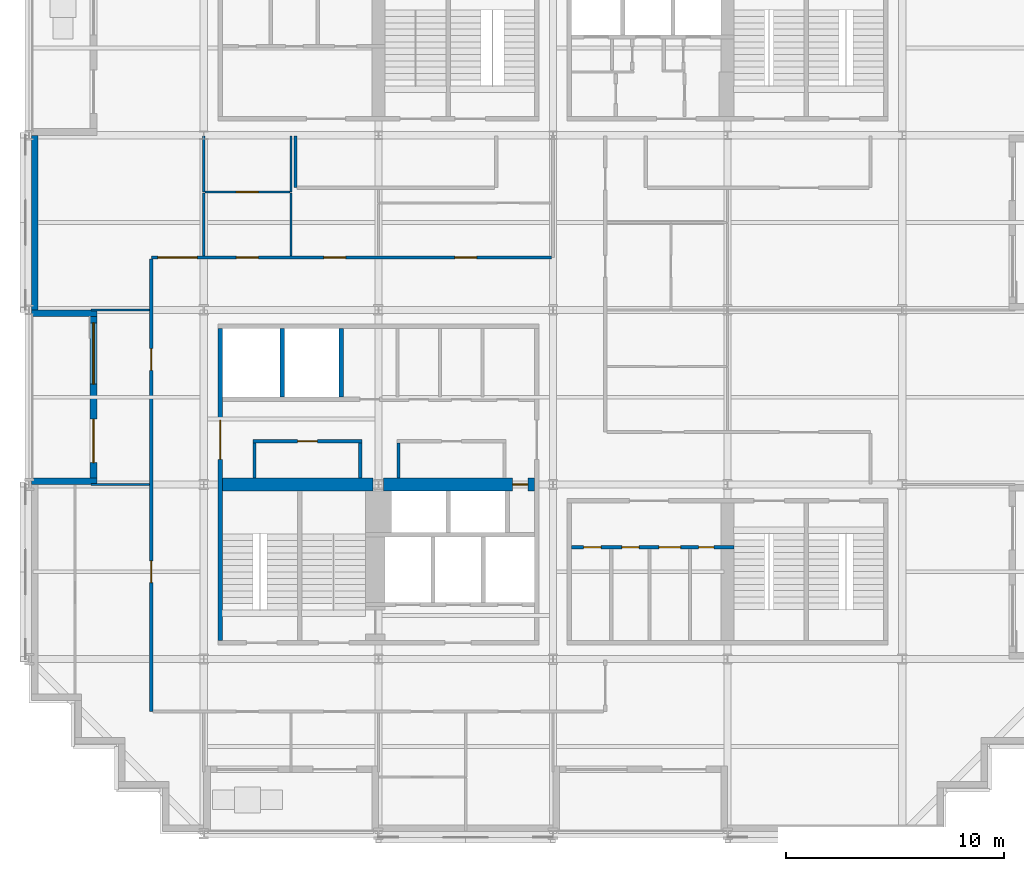
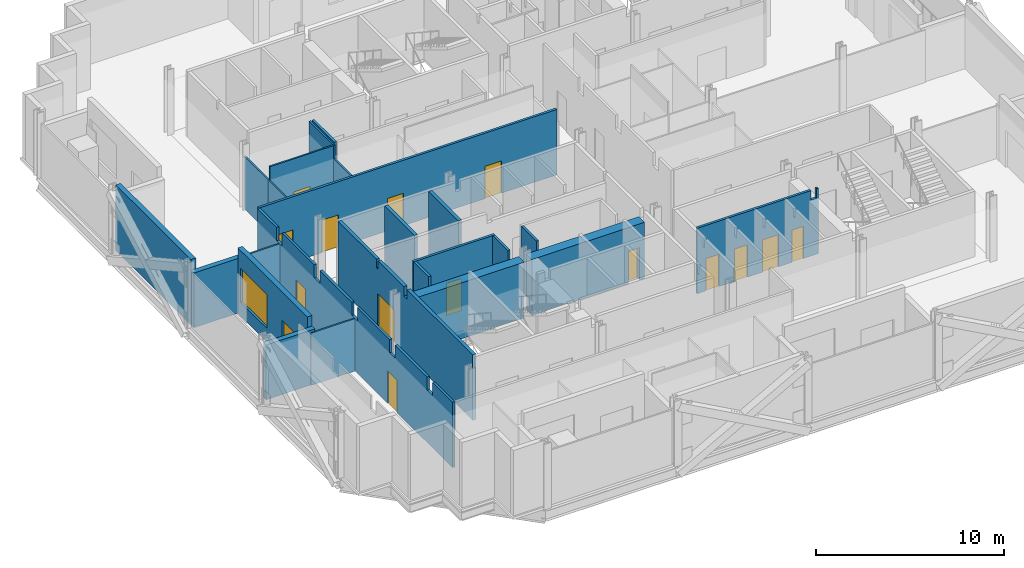
# One storey, part 6 of 14: 24 walls, 15 doors, 1 window, 16 openings.
"""IFC4 building model written with IfcOpenShell, lengths in metres."""

from ifc_helpers import new_model, si_unit, direction, frame, frame_2d, origin, place, context, subcontext, project, spatial, polyline, rectangle, outline, extrude, material, layer, layer_set, type_object, element, fill, save


model = new_model("IFC4")

# Units and contexts
model_context = context("Model", 3, precision=1e-05, world=origin(), true_north=direction((0.0, 1.0)))
body_context = subcontext(model_context, "Body", "Model", "MODEL_VIEW")
ifc_project = project(units=[si_unit("LENGTHUNIT", "METRE"), si_unit("AREAUNIT", "SQUARE_METRE"), si_unit("VOLUMEUNIT", "CUBIC_METRE"), si_unit("PLANEANGLEUNIT", "RADIAN"), si_unit("MASSUNIT", "GRAM", prefix="KILO")], contexts=[model_context])

# Site, building, storey
site_placement = place(None, origin())
site = spatial("IfcSite", under=ifc_project, at=site_placement, CompositionType="ELEMENT")
building_placement = place(site_placement, origin())
building = spatial("IfcBuilding", under=site, at=building_placement, Name="Immortelle Media Tower", CompositionType="ELEMENT")
storey_placement = place(building_placement, frame((0.0, 0.0, 43.60009765625)))
storey = spatial("IfcBuildingStorey", under=building, at=storey_placement, Name="L06", CompositionType="ELEMENT", Elevation=43.60009765625)

# Wall, opening, door
ifc_material_1 = material(Name="Fire-rated masonry blockwork", Category="masonry")
ifc_layer_1 = layer(ifc_material_1, 0.60009765625)
ifc_layer_set_1 = layer_set([ifc_layer_1], Name="Fire-rated masonry blockwork")
wall_type_1 = type_object("IfcWallType", Name="Core grid-line wall 600", PredefinedType="PARTITIONING", material=ifc_layer_set_1)
wall_1_placement = place(storey_placement, frame((16.237548828125, 16.0, 0.0), z_axis=(0.0, 0.0, 1.0), x_axis=(1.0, 0.0, 0.0)))
wall_1 = element("IfcWall", 1, at=wall_1_placement, inside=storey, type_object=wall_type_1, Name="Core grid-line wall SW", PredefinedType="PARTITIONING", context=body_context, shape_type="SweptSolid", body=[
    extrude(rectangle(XDim=6.912353515625, YDim=0.60009765625, at=frame_2d((3.4560546875, 0.0))), origin(), (0.0, 0.0, 1.0), 3.6318359375),
])
opening_1_placement = place(wall_1_placement, frame((6.612548828125, 0.0, 0.0), z_axis=(0.0, 0.0, 1.0), x_axis=(-1.0, 0.0, 0.0)))
opening_1 = element("IfcOpeningElement", 2, at=opening_1_placement, cuts=wall_1, Name="Opening N1-K013", PredefinedType="OPENING", context=body_context, shape_type="SweptSolid", body=[
    extrude(rectangle(XDim=0.699951171875, YDim=2.10009765625, at=frame_2d((0.35009765625, 1.050048828125))), frame((0.0, 0.31005859375, 0.0), z_axis=(0.0, -1.0, 0.0), x_axis=(1.0, 0.0, 0.0)), (0.0, 0.0, 1.0), 0.6201171875),
])
ifc_material_2 = material(Name="Galvanised steel door leaf and frame ASTM A653", Category="steel")
door_type_1 = type_object("IfcDoorType", Name="Service door 700 x 2100", OperationType="NOTDEFINED", PredefinedType="NOTDEFINED", material=ifc_material_2)
door_1_placement = place(opening_1_placement, origin())
door_1 = element("IfcDoor", 3, at=door_1_placement, inside=storey, type_object=door_type_1, Name="Service N1-K013", OperationType="SINGLE_SWING_RIGHT", OverallHeight=2.10009765625, OverallWidth=0.699951171875, PredefinedType="NOTDEFINED", context=body_context, shape_type="SweptSolid", body=[
    extrude(rectangle(XDim=0.699951171875, YDim=2.10009765625, at=frame_2d((0.35009765625, 1.050048828125))), frame((0.0, 0.02490234375, 0.0), z_axis=(0.0, -1.0, 0.0), x_axis=(1.0, 0.0, 0.0)), (0.0, 0.0, 1.0), 0.050048828125),
])
fill(opening_1, door_1)

# Wall
ifc_material_3 = material(Name="Fire-rated gypsum board", Category="gypsum")
ifc_layer_2 = layer(ifc_material_3, 0.02490234375)
ifc_material_4 = material(Name="Steel ASTM A653 SS Gr 50 stud frame with mineral wool", Category="steel")
ifc_layer_3 = layer(ifc_material_4, 0.10009765625)
ifc_layer_4 = layer(ifc_material_3, 0.02490234375)
ifc_layer_set_2 = layer_set([ifc_layer_2, ifc_layer_3, ifc_layer_4], Name="Steel ASTM A653 SS Gr 50 stud frame with mineral wool")
wall_type_2 = type_object("IfcWallType", Name="Core partition 150", PredefinedType="PARTITIONING", material=ifc_layer_set_2)
wall_2_placement = place(storey_placement, frame((10.324951171875, 16.300048828125, 0.0), z_axis=(0.0, 0.0, 1.0), x_axis=(0.0, 1.0, 0.0)))
element("IfcWall", 4, at=wall_2_placement, inside=storey, type_object=wall_type_2, Name="Core partition SW", PredefinedType="PARTITIONING", context=body_context, shape_type="SweptSolid", body=[
    extrude(rectangle(XDim=1.599853515625, YDim=0.14990234375, at=frame_2d((0.7998046875, 0.0))), origin(), (0.0, 0.0, 1.0), 4.25),
])

# Wall, opening, door
wall_3_placement = place(storey_placement, frame((10.25, 17.97509765625, 0.0), z_axis=(0.0, 0.0, 1.0), x_axis=(1.0, 0.0, 0.0)))
wall_3 = element("IfcWall", 5, at=wall_3_placement, inside=storey, type_object=wall_type_2, Name="Core partition SW", PredefinedType="PARTITIONING", context=body_context, shape_type="SweptSolid", body=[
    extrude(rectangle(XDim=5.0, YDim=0.14990234375, at=frame_2d((2.5, 0.0))), origin(), (0.0, 0.0, 1.0), 4.25),
])
opening_2_placement = place(wall_3_placement, frame((2.949951171875, 0.0, 0.0), z_axis=(0.0, 0.0, 1.0), x_axis=(-1.0, 0.0, 0.0)))
opening_2 = element("IfcOpeningElement", 6, at=opening_2_placement, cuts=wall_3, Name="Opening N1-K003", PredefinedType="OPENING", context=body_context, shape_type="SweptSolid", body=[
    extrude(rectangle(XDim=0.89990234375, YDim=2.10009765625, at=frame_2d((0.449951171875, 1.050048828125))), frame((0.0, 0.0849609375, 0.0), z_axis=(0.0, -1.0, 0.0), x_axis=(1.0, 0.0, 0.0)), (0.0, 0.0, 1.0), 0.169921875),
])
ifc_material_5 = material(Name="Timber", Category="wood")
door_type_2 = type_object("IfcDoorType", Name="Room door 900 x 2100", OperationType="NOTDEFINED", PredefinedType="NOTDEFINED", material=ifc_material_5)
door_2_placement = place(opening_2_placement, origin())
door_2 = element("IfcDoor", 7, at=door_2_placement, inside=storey, type_object=door_type_2, Name="Room N1-K003", OperationType="SINGLE_SWING_LEFT", OverallHeight=2.10009765625, OverallWidth=0.89990234375, PredefinedType="NOTDEFINED", context=body_context, shape_type="SweptSolid", body=[
    extrude(rectangle(XDim=0.89990234375, YDim=2.10009765625, at=frame_2d((0.449951171875, 1.050048828125))), frame((0.0, 0.02490234375, 0.0), z_axis=(0.0, -1.0, 0.0), x_axis=(1.0, 0.0, 0.0)), (0.0, 0.0, 1.0), 0.050048828125),
])
fill(opening_2, door_2)

# Walls
for number, where, z_axis, x_axis, name in (
    (8, (15.175048828125, 16.300048828125, 0.0), (0.0, 0.0, 1.0), (0.0, 1.0, 0.0), "Core partition SW"),
    (9, (16.925048828125, 16.300048828125, 0.0), (0.0, 0.0, 1.0), (0.0, 1.0, 0.0), "Core partition SW"),
):
    element("IfcWall", number, at=place(storey_placement, frame(where, z_axis=z_axis, x_axis=x_axis)), inside=storey, type_object=wall_type_2, Name=name, PredefinedType="PARTITIONING", context=body_context, shape_type="SweptSolid", body=[
        extrude(rectangle(XDim=1.599853515625, YDim=0.14990234375, at=frame_2d((0.7998046875, 0.0))), origin(), (0.0, 0.0, 1.0), 4.25),
    ])

# Wall, openings, doors
wall_4_placement = place(storey_placement, frame((24.85009765625, 13.125, 0.0), z_axis=(0.0, 0.0, 1.0), x_axis=(1.0, 0.0, 0.0)))
wall_4 = element("IfcWall", 10, at=wall_4_placement, inside=storey, type_object=wall_type_2, Name="Core partition SE", PredefinedType="PARTITIONING", context=body_context, shape_type="SweptSolid", body=[
    extrude(outline(polyline([(0.0, 0.0), (7.449951171875, 0.0), (7.449951171875, 4.25), (7.31689453125, 4.25), (7.31591796875, 3.6318359375), (6.98388671875, 3.6318359375), (6.98291015625, 4.25), (0.0, 4.25), (0.0, 0.0)])), frame((0.0, 0.074951171875, 0.0), z_axis=(0.0, -1.0, 0.0), x_axis=(1.0, 0.0, 0.0)), (0.0, 0.0, 1.0), 0.14990234375),
])
opening_3_placement = place(wall_4_placement, frame((1.35009765625, 0.0, 0.0), z_axis=(0.0, 0.0, 1.0), x_axis=(-1.0, 0.0, 0.0)))
opening_3 = element("IfcOpeningElement", 11, at=opening_3_placement, cuts=wall_4, Name="Opening N1-K040", PredefinedType="OPENING", context=body_context, shape_type="SweptSolid", body=[
    extrude(rectangle(XDim=0.800048828125, YDim=2.10009765625, at=frame_2d((0.39990234375, 1.050048828125))), frame((0.0, 0.0849609375, 0.0), z_axis=(0.0, -1.0, 0.0), x_axis=(1.0, 0.0, 0.0)), (0.0, 0.0, 1.0), 0.169921875),
])
opening_4_placement = place(wall_4_placement, frame((3.10009765625, 0.0, 0.0), z_axis=(0.0, 0.0, 1.0), x_axis=(-1.0, 0.0, 0.0)))
opening_4 = element("IfcOpeningElement", 12, at=opening_4_placement, cuts=wall_4, Name="Opening N1-K041", PredefinedType="OPENING", context=body_context, shape_type="SweptSolid", body=[
    extrude(rectangle(XDim=0.800048828125, YDim=2.10009765625, at=frame_2d((0.39990234375, 1.050048828125))), frame((0.0, 0.0849609375, 0.0), z_axis=(0.0, -1.0, 0.0), x_axis=(1.0, 0.0, 0.0)), (0.0, 0.0, 1.0), 0.169921875),
])
opening_5_placement = place(wall_4_placement, frame((5.0, 0.0, 0.0), z_axis=(0.0, 0.0, 1.0), x_axis=(-1.0, 0.0, 0.0)))
opening_5 = element("IfcOpeningElement", 13, at=opening_5_placement, cuts=wall_4, Name="Opening N1-K042", PredefinedType="OPENING", context=body_context, shape_type="SweptSolid", body=[
    extrude(rectangle(XDim=1.0, YDim=2.10009765625, at=frame_2d((0.5, 1.050048828125))), frame((0.0, 0.0849609375, 0.0), z_axis=(0.0, -1.0, 0.0), x_axis=(1.0, 0.0, 0.0)), (0.0, 0.0, 1.0), 0.169921875),
])
opening_6_placement = place(wall_4_placement, frame((6.52490234375, 0.0, 0.0), z_axis=(0.0, 0.0, 1.0), x_axis=(-1.0, 0.0, 0.0)))
opening_6 = element("IfcOpeningElement", 14, at=opening_6_placement, cuts=wall_4, Name="Opening N1-K043", PredefinedType="OPENING", context=body_context, shape_type="SweptSolid", body=[
    extrude(rectangle(XDim=0.699951171875, YDim=2.10009765625, at=frame_2d((0.35009765625, 1.050048828125))), frame((0.0, 0.0849609375, 0.0), z_axis=(0.0, -1.0, 0.0), x_axis=(1.0, 0.0, 0.0)), (0.0, 0.0, 1.0), 0.169921875),
])
door_type_3 = type_object("IfcDoorType", Name="Accessible toilet door 1000 x 2100", OperationType="NOTDEFINED", PredefinedType="NOTDEFINED", material=ifc_material_5)
door_3_placement = place(opening_5_placement, origin())
door_3 = element("IfcDoor", 15, at=door_3_placement, inside=storey, type_object=door_type_3, Name="Accessible toilet N1-K042", OperationType="SINGLE_SWING_RIGHT", OverallHeight=2.10009765625, OverallWidth=1.0, PredefinedType="NOTDEFINED", context=body_context, shape_type="SweptSolid", body=[
    extrude(rectangle(XDim=1.0, YDim=2.10009765625, at=frame_2d((0.5, 1.050048828125))), frame((0.0, 0.02490234375, 0.0), z_axis=(0.0, -1.0, 0.0), x_axis=(1.0, 0.0, 0.0)), (0.0, 0.0, 1.0), 0.050048828125),
])
fill(opening_5, door_3)
door_4_placement = place(opening_6_placement, origin())
door_4 = element("IfcDoor", 16, at=door_4_placement, inside=storey, type_object=door_type_1, Name="Service N1-K043", OperationType="SINGLE_SWING_LEFT", OverallHeight=2.10009765625, OverallWidth=0.699951171875, PredefinedType="NOTDEFINED", context=body_context, shape_type="SweptSolid", body=[
    extrude(rectangle(XDim=0.699951171875, YDim=2.10009765625, at=frame_2d((0.35009765625, 1.050048828125))), frame((0.0, 0.02490234375, 0.0), z_axis=(0.0, -1.0, 0.0), x_axis=(1.0, 0.0, 0.0)), (0.0, 0.0, 1.0), 0.050048828125),
])
fill(opening_6, door_4)
door_type_4 = type_object("IfcDoorType", Name="Toilet door 800 x 2100", OperationType="NOTDEFINED", PredefinedType="NOTDEFINED", material=ifc_material_5)
door_5_placement = place(opening_3_placement, origin())
door_5 = element("IfcDoor", 17, at=door_5_placement, inside=storey, type_object=door_type_4, Name="Toilet N1-K040", OperationType="SINGLE_SWING_RIGHT", OverallHeight=2.10009765625, OverallWidth=0.800048828125, PredefinedType="NOTDEFINED", context=body_context, shape_type="SweptSolid", body=[
    extrude(rectangle(XDim=0.800048828125, YDim=2.10009765625, at=frame_2d((0.39990234375, 1.050048828125))), frame((0.0, 0.02490234375, 0.0), z_axis=(0.0, -1.0, 0.0), x_axis=(1.0, 0.0, 0.0)), (0.0, 0.0, 1.0), 0.050048828125),
])
fill(opening_3, door_5)
door_6_placement = place(opening_4_placement, origin())
door_6 = element("IfcDoor", 18, at=door_6_placement, inside=storey, type_object=door_type_4, Name="Toilet N1-K041", OperationType="SINGLE_SWING_RIGHT", OverallHeight=2.10009765625, OverallWidth=0.800048828125, PredefinedType="NOTDEFINED", context=body_context, shape_type="SweptSolid", body=[
    extrude(rectangle(XDim=0.800048828125, YDim=2.10009765625, at=frame_2d((0.39990234375, 1.050048828125))), frame((0.0, 0.02490234375, 0.0), z_axis=(0.0, -1.0, 0.0), x_axis=(1.0, 0.0, 0.0)), (0.0, 0.0, 1.0), 0.050048828125),
])
fill(opening_4, door_6)

# Walls
ifc_layer_5 = layer(ifc_material_3, 0.03759765625)
ifc_layer_6 = layer(ifc_material_4, 0.125)
ifc_layer_7 = layer(ifc_material_3, 0.03759765625)
ifc_layer_set_3 = layer_set([ifc_layer_5, ifc_layer_6, ifc_layer_7], Name="Steel ASTM A653 SS Gr 50 stud frame with mineral wool")
wall_type_3 = type_object("IfcWallType", Name="Core shaft wall 200", PredefinedType="PARTITIONING", material=ifc_layer_set_3)
for number, where, z_axis, x_axis, name in (
    (19, (11.60009765625, 20.0, 0.0), (0.0, 0.0, 1.0), (0.0, 1.0, 0.0), "Core shaft wall SW"),
    (20, (14.300048828125, 20.0, 0.0), (0.0, 0.0, 1.0), (0.0, 1.0, 0.0), "Core shaft wall SW"),
):
    element("IfcWall", number, at=place(storey_placement, frame(where, z_axis=z_axis, x_axis=x_axis)), inside=storey, type_object=wall_type_3, Name=name, PredefinedType="PARTITIONING", context=body_context, shape_type="SweptSolid", body=[
        extrude(rectangle(XDim=3.14990234375, YDim=0.199951171875, at=frame_2d((1.574951171875, 0.0))), origin(), (0.0, 0.0, 1.0), 4.25),
    ])

# Wall, openings, doors
ifc_layer_8 = layer(ifc_material_3, 0.012451171875)
ifc_layer_9 = layer(ifc_material_4, 0.125)
ifc_layer_10 = layer(ifc_material_3, 0.012451171875)
ifc_layer_set_4 = layer_set([ifc_layer_8, ifc_layer_9, ifc_layer_10], Name="Steel ASTM A653 SS Gr 50 stud frame with mineral wool")
wall_type_4 = type_object("IfcWallType", Name="Corridor wall 150", PredefinedType="PARTITIONING", material=ifc_layer_set_4)
wall_5_placement = place(storey_placement, frame((5.60009765625, 5.60009765625, 0.0), z_axis=(0.0, 0.0, 1.0), x_axis=(0.0, 1.0, 0.0)))
wall_5 = element("IfcWall", 21, at=wall_5_placement, inside=storey, type_object=wall_type_4, Name="Partition L06-009", PredefinedType="PARTITIONING", context=body_context, shape_type="SweptSolid", body=[
    extrude(outline(polyline([(0.0, 0.0), (20.724853515625, 0.0), (20.72509765625, 4.25), (18.699951171875, 4.25), (18.697998046875, 3.390869140625), (18.10205078125, 3.390869140625), (18.10009765625, 4.25), (14.699951171875, 4.25), (14.697998046875, 3.390869140625), (14.10205078125, 3.390869140625), (14.10009765625, 4.25), (10.699951171875, 4.25), (10.697998046875, 3.390869140625), (10.10205078125, 3.390869140625), (10.10009765625, 4.25), (6.699951171875, 4.25), (6.697998046875, 3.390869140625), (6.10205078125, 3.390869140625), (6.10009765625, 4.25), (2.699951171875, 4.25), (2.697998046875, 3.390869140625), (2.10205078125, 3.390869140625), (2.10009765625, 4.25), (0.0, 4.25), (0.0, 0.0)])), frame((0.0, 0.074951171875, 0.0), z_axis=(0.0, -1.0, 0.0), x_axis=(1.0, 0.0, 0.0)), (0.0, 0.0, 1.0), 0.14990234375),
])
opening_7_placement = place(wall_5_placement, frame((5.89990234375, 0.0, 0.0)))
opening_7 = element("IfcOpeningElement", 22, at=opening_7_placement, cuts=wall_5, Name="Opening N1-F007", PredefinedType="OPENING", context=body_context, shape_type="SweptSolid", body=[
    extrude(rectangle(XDim=1.0, YDim=2.10009765625, at=frame_2d((0.5, 1.050048828125))), frame((0.0, 0.0849609375, 0.0), z_axis=(0.0, -1.0, 0.0), x_axis=(1.0, 0.0, 0.0)), (0.0, 0.0, 1.0), 0.169921875),
])
opening_8_placement = place(wall_5_placement, frame((15.625, 0.0, 0.0)))
opening_8 = element("IfcOpeningElement", 23, at=opening_8_placement, cuts=wall_5, Name="Opening N1-F009", PredefinedType="OPENING", context=body_context, shape_type="SweptSolid", body=[
    extrude(rectangle(XDim=1.0, YDim=2.10009765625, at=frame_2d((0.5, 1.050048828125))), frame((0.0, 0.0849609375, 0.0), z_axis=(0.0, -1.0, 0.0), x_axis=(1.0, 0.0, 0.0)), (0.0, 0.0, 1.0), 0.169921875),
])
ifc_material_6 = material(Name="Timber veneered door leaf, galvanised steel frame ASTM A653", Category="steel")
door_type_5 = type_object("IfcDoorType", Name="Room door 1000 x 2100", OperationType="NOTDEFINED", PredefinedType="DOOR", material=ifc_material_6)
door_7_placement = place(opening_7_placement, origin())
door_7 = element("IfcDoor", 24, at=door_7_placement, inside=storey, type_object=door_type_5, Name="Door N1-F007", OperationType="SINGLE_SWING_RIGHT", OverallHeight=2.10009765625, OverallWidth=1.0, PredefinedType="DOOR", context=body_context, shape_type="SweptSolid", body=[
    extrude(rectangle(XDim=1.0, YDim=2.10009765625, at=frame_2d((0.5, 1.050048828125))), frame((0.0, 0.02490234375, 0.0), z_axis=(0.0, -1.0, 0.0), x_axis=(1.0, 0.0, 0.0)), (0.0, 0.0, 1.0), 0.050048828125),
])
fill(opening_7, door_7)
door_8_placement = place(opening_8_placement, origin())
door_8 = element("IfcDoor", 25, at=door_8_placement, inside=storey, type_object=door_type_5, Name="Door N1-F009", OperationType="SINGLE_SWING_RIGHT", OverallHeight=2.10009765625, OverallWidth=1.0, PredefinedType="DOOR", context=body_context, shape_type="SweptSolid", body=[
    extrude(rectangle(XDim=1.0, YDim=2.10009765625, at=frame_2d((0.5, 1.050048828125))), frame((0.0, 0.02490234375, 0.0), z_axis=(0.0, -1.0, 0.0), x_axis=(1.0, 0.0, 0.0)), (0.0, 0.0, 1.0), 0.050048828125),
])
fill(opening_8, door_8)

wall_6_placement = place(storey_placement, frame((5.60009765625, 26.39990234375, 0.0), z_axis=(0.0, 0.0, 1.0), x_axis=(1.0, 0.0, 0.0)))
wall_6 = element("IfcWall", 26, at=wall_6_placement, inside=storey, type_object=wall_type_4, Name="Partition L06-026", PredefinedType="PARTITIONING", context=body_context, shape_type="SweptSolid", body=[
    extrude(rectangle(XDim=18.324951171875, YDim=0.14990234375, at=frame_2d((9.16259765625, 0.0))), origin(), (0.0, 0.0, 1.0), 4.25),
])
opening_9_placement = place(wall_6_placement, frame((13.89990234375, 0.0, 0.0)))
opening_9 = element("IfcOpeningElement", 27, at=opening_9_placement, cuts=wall_6, Name="Opening N1-F016", PredefinedType="OPENING", context=body_context, shape_type="SweptSolid", body=[
    extrude(rectangle(XDim=1.0, YDim=2.10009765625, at=frame_2d((0.5, 1.050048828125))), frame((0.0, 0.0849609375, 0.0), z_axis=(0.0, -1.0, 0.0), x_axis=(1.0, 0.0, 0.0)), (0.0, 0.0, 1.0), 0.169921875),
])
opening_10_placement = place(wall_6_placement, frame((3.89990234375, 0.0, 0.0)))
opening_10 = element("IfcOpeningElement", 28, at=opening_10_placement, cuts=wall_6, Name="Opening N1-F018", PredefinedType="OPENING", context=body_context, shape_type="SweptSolid", body=[
    extrude(rectangle(XDim=1.0, YDim=2.10009765625, at=frame_2d((0.5, 1.050048828125))), frame((0.0, 0.0849609375, 0.0), z_axis=(0.0, -1.0, 0.0), x_axis=(1.0, 0.0, 0.0)), (0.0, 0.0, 1.0), 0.169921875),
])
opening_11_placement = place(wall_6_placement, frame((7.89990234375, 0.0, 0.0)))
opening_11 = element("IfcOpeningElement", 29, at=opening_11_placement, cuts=wall_6, Name="Opening N1-F020", PredefinedType="OPENING", context=body_context, shape_type="SweptSolid", body=[
    extrude(rectangle(XDim=1.0, YDim=2.10009765625, at=frame_2d((0.5, 1.050048828125))), frame((0.0, 0.0849609375, 0.0), z_axis=(0.0, -1.0, 0.0), x_axis=(1.0, 0.0, 0.0)), (0.0, 0.0, 1.0), 0.169921875),
])
opening_12_placement = place(wall_6_placement, frame((0.300048828125, 0.0, 0.0)))
opening_12 = element("IfcOpeningElement", 30, at=opening_12_placement, cuts=wall_6, Name="Opening N1-F022", PredefinedType="OPENING", context=body_context, shape_type="SweptSolid", body=[
    extrude(rectangle(XDim=1.800048828125, YDim=2.10009765625, at=frame_2d((0.89990234375, 1.050048828125))), frame((0.0, 0.0849609375, 0.0), z_axis=(0.0, -1.0, 0.0), x_axis=(1.0, 0.0, 0.0)), (0.0, 0.0, 1.0), 0.169921875),
])
door_9_placement = place(opening_9_placement, origin())
door_9 = element("IfcDoor", 31, at=door_9_placement, inside=storey, type_object=door_type_5, Name="Door N1-F016", OperationType="SINGLE_SWING_LEFT", OverallHeight=2.10009765625, OverallWidth=1.0, PredefinedType="DOOR", context=body_context, shape_type="SweptSolid", body=[
    extrude(rectangle(XDim=1.0, YDim=2.10009765625, at=frame_2d((0.5, 1.050048828125))), frame((0.0, 0.02490234375, 0.0), z_axis=(0.0, -1.0, 0.0), x_axis=(1.0, 0.0, 0.0)), (0.0, 0.0, 1.0), 0.050048828125),
])
fill(opening_9, door_9)
door_10_placement = place(opening_10_placement, origin())
door_10 = element("IfcDoor", 32, at=door_10_placement, inside=storey, type_object=door_type_5, Name="Door N1-F018", OperationType="SINGLE_SWING_LEFT", OverallHeight=2.10009765625, OverallWidth=1.0, PredefinedType="DOOR", context=body_context, shape_type="SweptSolid", body=[
    extrude(rectangle(XDim=1.0, YDim=2.10009765625, at=frame_2d((0.5, 1.050048828125))), frame((0.0, 0.02490234375, 0.0), z_axis=(0.0, -1.0, 0.0), x_axis=(1.0, 0.0, 0.0)), (0.0, 0.0, 1.0), 0.050048828125),
])
fill(opening_10, door_10)
door_11_placement = place(opening_11_placement, origin())
door_11 = element("IfcDoor", 33, at=door_11_placement, inside=storey, type_object=door_type_5, Name="Door N1-F020", OperationType="SINGLE_SWING_LEFT", OverallHeight=2.10009765625, OverallWidth=1.0, PredefinedType="DOOR", context=body_context, shape_type="SweptSolid", body=[
    extrude(rectangle(XDim=1.0, YDim=2.10009765625, at=frame_2d((0.5, 1.050048828125))), frame((0.0, 0.02490234375, 0.0), z_axis=(0.0, -1.0, 0.0), x_axis=(1.0, 0.0, 0.0)), (0.0, 0.0, 1.0), 0.050048828125),
])
fill(opening_11, door_11)
door_type_6 = type_object("IfcDoorType", Name="Room door 1800 x 2100", OperationType="DOUBLE_DOOR_SINGLE_SWING", PredefinedType="DOOR", material=ifc_material_6)
door_12_placement = place(opening_12_placement, origin())
door_12 = element("IfcDoor", 34, at=door_12_placement, inside=storey, type_object=door_type_6, Name="Door N1-F022", OperationType="DOUBLE_DOOR_SINGLE_SWING", OverallHeight=2.10009765625, OverallWidth=1.800048828125, PredefinedType="DOOR", context=body_context, shape_type="SweptSolid", body=[
    extrude(rectangle(XDim=1.800048828125, YDim=2.10009765625, at=frame_2d((0.89990234375, 1.050048828125))), frame((0.0, 0.02490234375, 0.0), z_axis=(0.0, -1.0, 0.0), x_axis=(1.0, 0.0, 0.0)), (0.0, 0.0, 1.0), 0.050048828125),
])
fill(opening_12, door_12)

# Walls
wall_7_placement = place(storey_placement, frame((12.199951171875, 29.60009765625, 0.0), z_axis=(0.0, 0.0, 1.0), x_axis=(0.0, 1.0, 0.0)))
element("IfcWall", 35, at=wall_7_placement, inside=storey, type_object=wall_type_4, Name="Partition L06-040", PredefinedType="PARTITIONING", context=body_context, shape_type="SweptSolid", body=[
    extrude(rectangle(XDim=2.369873046875, YDim=0.14990234375, at=frame_2d((1.18505859375, 0.0))), origin(), (0.0, 0.0, 1.0), 4.25),
])
ifc_material_7 = material(Name="Pale aluminium cladding panel", Category="aluminium")
ifc_layer_11 = layer(ifc_material_7, 0.030029296875)
ifc_layer_12 = layer(ifc_material_4, 0.257568359375)
ifc_material_8 = material(Name="Moisture-resistant gypsum board", Category="gypsum")
ifc_layer_13 = layer(ifc_material_8, 0.012451171875)
ifc_layer_set_5 = layer_set([ifc_layer_11, ifc_layer_12, ifc_layer_13], Name="Steel ASTM A653 SS Gr 50 stud frame with mineral wool")
wall_type_5 = type_object("IfcWallType", Name="Facade wall 300", PredefinedType="SOLIDWALL", material=ifc_layer_set_5)
wall_8_placement = place(storey_placement, frame((0.25, 32.0, 0.0), z_axis=(0.0, 0.0, 1.0), x_axis=(0.0, -1.0, 0.0)))
element("IfcWall", 36, at=wall_8_placement, inside=storey, type_object=wall_type_5, Name="Facade wall L06 W0", PredefinedType="SOLIDWALL", context=body_context, shape_type="SweptSolid", body=[
    extrude(rectangle(XDim=8.0, YDim=0.300048828125, at=frame_2d((4.0, 0.0))), origin(), (0.0, 0.0, 1.0), 4.25),
])

# Wall, openings, door, window
wall_9_placement = place(storey_placement, frame((2.949951171875, 23.699951171875, 0.0), z_axis=(0.0, 0.0, 1.0), x_axis=(0.0, -1.0, 0.0)))
wall_9 = element("IfcWall", 37, at=wall_9_placement, inside=storey, type_object=wall_type_5, Name="Loggia wall L06 W0", PredefinedType="SOLIDWALL", context=body_context, shape_type="SweptSolid", body=[
    extrude(rectangle(XDim=7.39990234375, YDim=0.300048828125, at=frame_2d((3.699951171875, 0.0))), origin(), (0.0, 0.0, 1.0), 4.25),
])
opening_13_placement = place(wall_9_placement, frame((0.300048828125, 0.0, 0.89990234375)))
opening_13 = element("IfcOpeningElement", 38, at=opening_13_placement, cuts=wall_9, Name="Opening W1", PredefinedType="OPENING", context=body_context, shape_type="SweptSolid", body=[
    extrude(rectangle(XDim=2.800048828125, YDim=2.199951171875, at=frame_2d((1.39990234375, 1.10009765625))), frame((0.0, 0.159912109375, 0.0), z_axis=(0.0, -1.0, 0.0), x_axis=(1.0, 0.0, 0.0)), (0.0, 0.0, 1.0), 0.320068359375),
])
opening_14_placement = place(wall_9_placement, frame((4.699951171875, 0.0, 0.0)))
opening_14 = element("IfcOpeningElement", 39, at=opening_14_placement, cuts=wall_9, Name="Opening N1-E002", PredefinedType="OPENING", context=body_context, shape_type="SweptSolid", body=[
    extrude(rectangle(XDim=2.0, YDim=2.39990234375, at=frame_2d((1.0, 1.199951171875))), frame((0.0, 0.159912109375, 0.0), z_axis=(0.0, -1.0, 0.0), x_axis=(1.0, 0.0, 0.0)), (0.0, 0.0, 1.0), 0.320068359375),
])
ifc_material_9 = material(Name="Aluminium frame, glazed leaves", Category="aluminium")
door_type_7 = type_object("IfcDoorType", Name="Loggia door 2000 x 2400", OperationType="DOUBLE_DOOR_SINGLE_SWING", PredefinedType="DOOR", material=ifc_material_9)
door_13_placement = place(opening_14_placement, origin())
door_13 = element("IfcDoor", 40, at=door_13_placement, inside=storey, type_object=door_type_7, Name="Door N1-E002", OperationType="DOUBLE_DOOR_SINGLE_SWING", OverallHeight=2.39990234375, OverallWidth=2.0, PredefinedType="DOOR", context=body_context, shape_type="SweptSolid", body=[
    extrude(rectangle(XDim=2.0, YDim=2.39990234375, at=frame_2d((1.0, 1.199951171875))), frame((0.0, 0.02490234375, 0.0), z_axis=(0.0, -1.0, 0.0), x_axis=(1.0, 0.0, 0.0)), (0.0, 0.0, 1.0), 0.050048828125),
])
fill(opening_14, door_13)
ifc_material_10 = material(Name="Aluminium frame", Category="aluminium")
window_type = type_object("IfcWindowType", Name="Window 2800 x 2200", PartitioningType="SINGLE_PANEL", PredefinedType="WINDOW", material=ifc_material_10)
window_placement = place(opening_13_placement, origin())
window = element("IfcWindow", 41, at=window_placement, inside=storey, type_object=window_type, Name="Window L06 L06-R0-B2", OverallHeight=2.199951171875, OverallWidth=2.800048828125, PartitioningType="SINGLE_PANEL", PredefinedType="WINDOW", context=body_context, shape_type="SweptSolid", body=[
    extrude(rectangle(XDim=2.800048828125, YDim=2.199951171875, at=frame_2d((1.39990234375, 1.10009765625))), frame((0.0, 0.030029296875, 0.0), z_axis=(0.0, -1.0, 0.0), x_axis=(1.0, 0.0, 0.0)), (0.0, 0.0, 1.0), 0.06005859375),
])
fill(opening_13, window)

# Walls
for number, where, z_axis, x_axis, name in (
    (42, (0.10009765625, 23.85009765625, 0.0), (0.0, 0.0, 1.0), (1.0, 0.0, 0.0), "Loggia cheek wall L06 W"),
    (43, (0.10009765625, 16.14990234375, 0.0), (0.0, 0.0, 1.0), (1.0, 0.0, 0.0), "Loggia cheek wall L06 W"),
):
    element("IfcWall", number, at=place(storey_placement, frame(where, z_axis=z_axis, x_axis=x_axis)), inside=storey, type_object=wall_type_5, Name=name, PredefinedType="SOLIDWALL", context=body_context, shape_type="SweptSolid", body=[
        extrude(rectangle(XDim=3.0, YDim=0.300048828125, at=frame_2d((1.5, 0.0))), origin(), (0.0, 0.0, 1.0), 3.552978515625),
    ])
ifc_material_11 = material(Name="Gypsum board", Category="gypsum")
ifc_layer_14 = layer(ifc_material_11, 0.012451171875)
ifc_layer_15 = layer(ifc_material_4, 0.074951171875)
ifc_layer_16 = layer(ifc_material_11, 0.012451171875)
ifc_layer_set_6 = layer_set([ifc_layer_14, ifc_layer_15, ifc_layer_16], Name="Steel ASTM A653 SS Gr 50 stud frame with mineral wool")
wall_type_6 = type_object("IfcWallType", Name="Partition 100", PredefinedType="PARTITIONING", material=ifc_layer_set_6)
for number, where, z_axis, x_axis, name in (
    (44, (2.830078125, 16.0, 0.0), (0.0, 0.0, 1.0), (1.0, 0.0, 0.0), "Partition L06-012"),
    (45, (2.830078125, 24.0, 0.0), (0.0, 0.0, 1.0), (1.0, 0.0, 0.0), "Partition L06-020"),
):
    element("IfcWall", number, at=place(storey_placement, frame(where, z_axis=z_axis, x_axis=x_axis)), inside=storey, type_object=wall_type_6, Name=name, PredefinedType="PARTITIONING", context=body_context, shape_type="SweptSolid", body=[
        extrude(rectangle(XDim=2.69482421875, YDim=0.10009765625, at=frame_2d((1.347412109375, 0.0))), origin(), (0.0, 0.0, 1.0), 3.390869140625),
    ])
for number, where, z_axis, x_axis, name in (
    (46, (8.0, 26.47509765625, 0.0), (0.0, 0.0, 1.0), (0.0, 1.0, 0.0), "Partition L06-027"),
    (47, (12.0, 26.47509765625, 0.0), (0.0, 0.0, 1.0), (0.0, 1.0, 0.0), "Partition L06-028"),
):
    element("IfcWall", number, at=place(storey_placement, frame(where, z_axis=z_axis, x_axis=x_axis)), inside=storey, type_object=wall_type_6, Name=name, PredefinedType="PARTITIONING", context=body_context, shape_type="SweptSolid", body=[
        extrude(rectangle(XDim=2.875, YDim=0.10009765625, at=frame_2d((1.4375, 0.0))), origin(), (0.0, 0.0, 1.0), 3.390869140625),
    ])

# Wall, opening, door
wall_10_placement = place(storey_placement, frame((8.050048828125, 29.39990234375, 0.0), z_axis=(0.0, 0.0, 1.0), x_axis=(1.0, 0.0, 0.0)))
wall_10 = element("IfcWall", 48, at=wall_10_placement, inside=storey, type_object=wall_type_6, Name="Partition L06-036", PredefinedType="PARTITIONING", context=body_context, shape_type="SweptSolid", body=[
    extrude(rectangle(XDim=3.89990234375, YDim=0.10009765625, at=frame_2d((1.949951171875, 0.0))), origin(), (0.0, 0.0, 1.0), 4.25),
])
opening_15_placement = place(wall_10_placement, frame((2.449951171875, 0.0, 0.0), z_axis=(0.0, 0.0, 1.0), x_axis=(-1.0, 0.0, 0.0)))
opening_15 = element("IfcOpeningElement", 49, at=opening_15_placement, cuts=wall_10, Name="Opening N1-F019", PredefinedType="OPENING", context=body_context, shape_type="SweptSolid", body=[
    extrude(rectangle(XDim=1.0, YDim=2.10009765625, at=frame_2d((0.5, 1.050048828125))), frame((0.0, 0.06005859375, 0.0), z_axis=(0.0, -1.0, 0.0), x_axis=(1.0, 0.0, 0.0)), (0.0, 0.0, 1.0), 0.1201171875),
])
door_14_placement = place(opening_15_placement, origin())
door_14 = element("IfcDoor", 50, at=door_14_placement, inside=storey, type_object=door_type_5, Name="Door N1-F019", OperationType="SINGLE_SWING_RIGHT", OverallHeight=2.10009765625, OverallWidth=1.0, PredefinedType="DOOR", context=body_context, shape_type="SweptSolid", body=[
    extrude(rectangle(XDim=1.0, YDim=2.10009765625, at=frame_2d((0.5, 1.050048828125))), frame((0.0, 0.02490234375, 0.0), z_axis=(0.0, -1.0, 0.0), x_axis=(1.0, 0.0, 0.0)), (0.0, 0.0, 1.0), 0.050048828125),
])
fill(opening_15, door_14)

# Walls
wall_11_placement = place(storey_placement, frame((8.0, 29.39990234375, 0.0), z_axis=(0.0, 0.0, 1.0), x_axis=(0.0, 1.0, 0.0)))
element("IfcWall", 51, at=wall_11_placement, inside=storey, type_object=wall_type_6, Name="Partition L06-037", PredefinedType="PARTITIONING", context=body_context, shape_type="SweptSolid", body=[
    extrude(rectangle(XDim=2.570068359375, YDim=0.10009765625, at=frame_2d((1.28515625, 0.0))), origin(), (0.0, 0.0, 1.0), 3.390869140625),
])
wall_12_placement = place(storey_placement, frame((12.0, 29.39990234375, 0.0), z_axis=(0.0, 0.0, 1.0), x_axis=(0.0, 1.0, 0.0)))
element("IfcWall", 52, at=wall_12_placement, inside=storey, type_object=wall_type_6, Name="Partition L06-038", PredefinedType="PARTITIONING", context=body_context, shape_type="SweptSolid", body=[
    extrude(rectangle(XDim=2.570068359375, YDim=0.10009765625, at=frame_2d((1.28515625, 0.0))), origin(), (0.0, 0.0, 1.0), 4.25),
])

# Wall, opening, door
ifc_material_12 = material(Name="Concrete C60", Category="concrete")
ifc_layer_17 = layer(ifc_material_12, 0.199951171875)
ifc_layer_set_7 = layer_set([ifc_layer_17], Name="Concrete C60")
wall_type_7 = type_object("IfcWallType", Name="Stair shaft wall 200", PredefinedType="PARTITIONING", material=ifc_layer_set_7)
wall_13_placement = place(storey_placement, frame((8.75, 8.85009765625, 0.0), z_axis=(0.0, 0.0, 1.0), x_axis=(0.0, 1.0, 0.0)))
wall_13 = element("IfcWall", 53, at=wall_13_placement, inside=storey, type_object=wall_type_7, Name="Stair shaft wall SW", PredefinedType="PARTITIONING", context=body_context, shape_type="SweptSolid", body=[
    extrude(outline(polyline([(0.0, 0.0), (14.2998046875, 0.0), (14.300048828125, 4.25), (10.238525390625, 4.25), (10.237548828125, 3.7080078125), (10.0625, 3.7080078125), (10.0615234375, 4.25), (7.31689453125, 4.25), (7.31591796875, 3.6318359375), (6.98388671875, 3.6318359375), (6.98291015625, 4.25), (0.0, 4.25), (0.0, 0.0)])), frame((0.0, 0.10009765625, 0.0), z_axis=(0.0, -1.0, 0.0), x_axis=(1.0, 0.0, 0.0)), (0.0, 0.0, 1.0), 0.199951171875),
])
opening_16_placement = place(wall_13_placement, frame((8.300048828125, 0.0, 0.0)))
opening_16 = element("IfcOpeningElement", 54, at=opening_16_placement, cuts=wall_13, Name="Opening N1-K001", PredefinedType="OPENING", context=body_context, shape_type="SweptSolid", body=[
    extrude(rectangle(XDim=1.800048828125, YDim=2.10009765625, at=frame_2d((0.89990234375, 1.050048828125))), frame((0.0, 0.10986328125, 0.0), z_axis=(0.0, -1.0, 0.0), x_axis=(1.0, 0.0, 0.0)), (0.0, 0.0, 1.0), 0.219970703125),
])
door_type_8 = type_object("IfcDoorType", Name="Lift lobby door 1800 x 2100", OperationType="DOUBLE_DOOR_SINGLE_SWING", PredefinedType="NOTDEFINED", material=ifc_material_2)
door_15_placement = place(opening_16_placement, origin())
door_15 = element("IfcDoor", 55, at=door_15_placement, inside=storey, type_object=door_type_8, Name="Lift lobby N1-K001", OperationType="DOUBLE_DOOR_SINGLE_SWING", OverallHeight=2.10009765625, OverallWidth=1.800048828125, PredefinedType="NOTDEFINED", context=body_context, shape_type="SweptSolid", body=[
    extrude(rectangle(XDim=1.800048828125, YDim=2.10009765625, at=frame_2d((0.89990234375, 1.050048828125))), frame((0.0, 0.02490234375, 0.0), z_axis=(0.0, -1.0, 0.0), x_axis=(1.0, 0.0, 0.0)), (0.0, 0.0, 1.0), 0.050048828125),
])
fill(opening_16, door_15)

# Wall
ifc_layer_18 = layer(ifc_material_12, 0.60009765625)
ifc_layer_set_8 = layer_set([ifc_layer_18], Name="Concrete C60")
wall_type_8 = type_object("IfcWallType", Name="Stair shaft wall 600", PredefinedType="PARTITIONING", material=ifc_layer_set_8)
wall_14_placement = place(storey_placement, frame((8.85009765625, 16.0, 0.0), z_axis=(0.0, 0.0, 1.0), x_axis=(1.0, 0.0, 0.0)))
element("IfcWall", 56, at=wall_14_placement, inside=storey, type_object=wall_type_8, Name="Stair shaft wall SW", PredefinedType="PARTITIONING", context=body_context, shape_type="SweptSolid", body=[
    extrude(rectangle(XDim=6.912353515625, YDim=0.60009765625, at=frame_2d((3.4560546875, 0.0))), origin(), (0.0, 0.0, 1.0), 3.6318359375),
])

save(model, "model.ifc")
